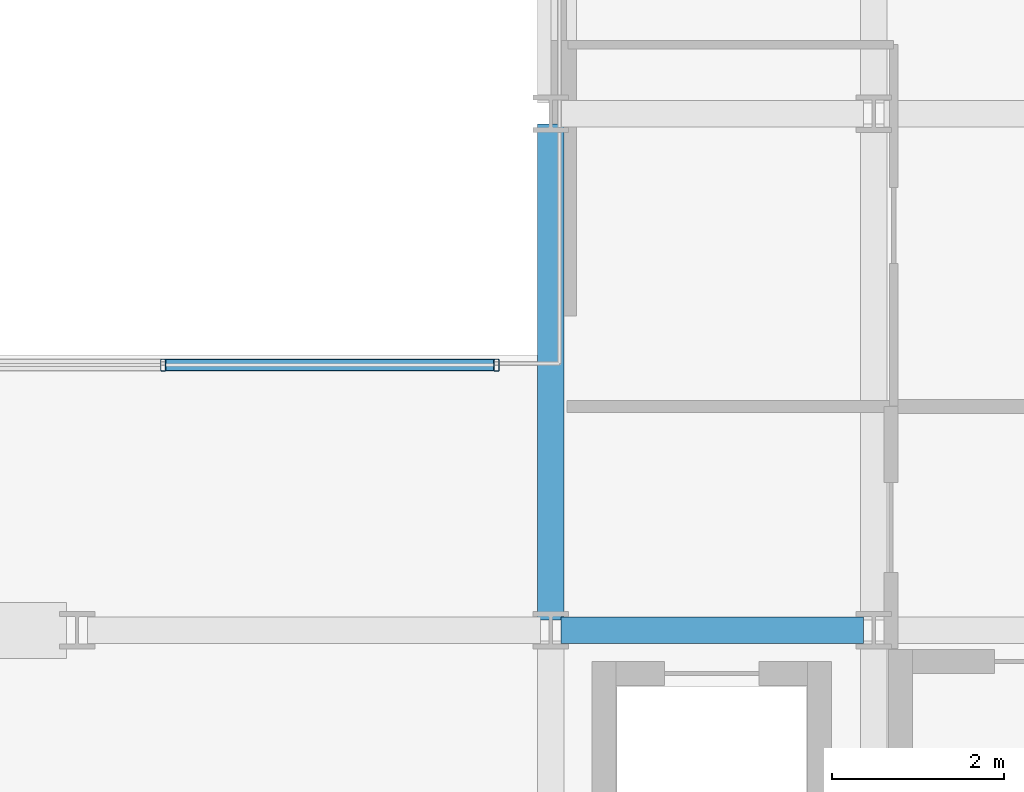
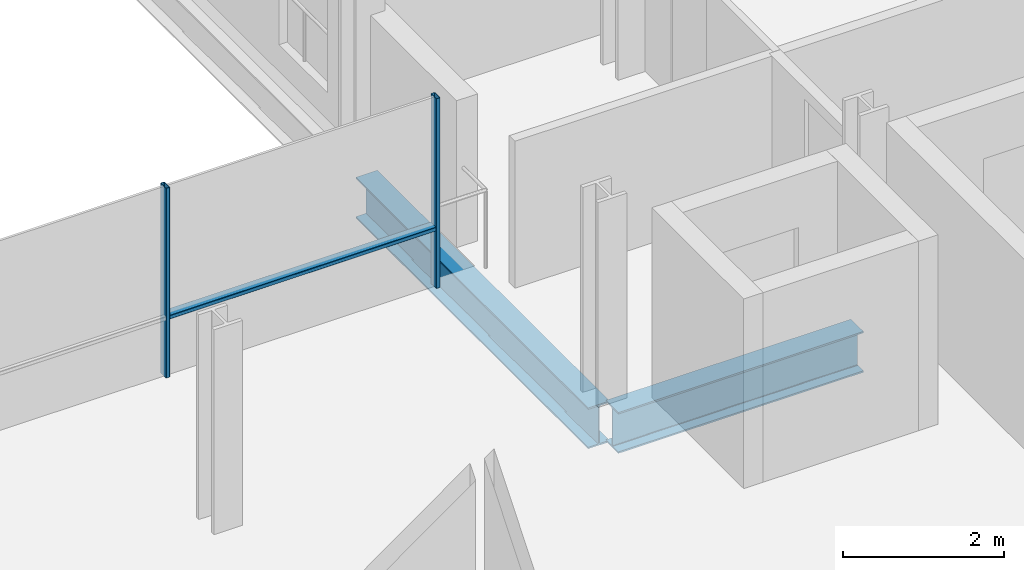
# One storey, part 13 of 40: 3 members, 2 beams, 1 element without a shape of its own.
"""IFC4 building model written with IfcOpenShell, lengths in metres."""

import ifcopenshell
import ifcopenshell.guid

model = None  # the IFC model being written
_history = None  # IfcOwnerHistory: only IFC2X3 demands one
_inside = {}  # id of a spatial element -> (the spatial element, [elements in it])
_under = {}  # id of a project, library or spatial element -> (it, [spatial elements below it])
_declared = {}  # id of a project -> (the project, [libraries it declares])
_typed = {}  # id of a type object -> (the type object, [elements of that type])
_made_of = {}  # id of a material, layer set ... -> (it, [elements and type objects made of it])


def new_model(schema):
    """Start an empty IFC model of exactly this schema.

    Asked for "IFC4X3", IfcOpenShell would pick the latest addendum, in which some entities
    have other attributes; the version numbers below select the first issue.
    IFC2X3 requires an IfcOwnerHistory on every rooted entity: one is made here for all.
    """
    global model, _history
    if schema == "IFC4X3":
        model = ifcopenshell.file(schema_version=(4, 3, 0, 0))
    else:
        model = ifcopenshell.file(schema=schema)
    _inside.clear()
    _under.clear()
    _declared.clear()
    _typed.clear()
    _made_of.clear()
    _history = None
    if model.schema == "IFC2X3":
        org = make("IfcOrganization", Name="unknown")
        user = make(
            "IfcPersonAndOrganization",
            ThePerson=make("IfcPerson", FamilyName="unknown"),
            TheOrganization=org,
        )
        app = make(
            "IfcApplication",
            ApplicationDeveloper=org,
            Version="unknown",
            ApplicationFullName="unknown",
            ApplicationIdentifier="unknown",
        )
        _history = make(
            "IfcOwnerHistory",
            OwningUser=user,
            OwningApplication=app,
            ChangeAction="ADDED",
            CreationDate=0,
        )
    return model


def make(cls, **values):
    """One entity of the class cls with the attributes given. An attribute that is None is left unset."""
    return model.create_entity(
        cls, **{name: value for name, value in values.items() if value is not None}
    )


def rooted(cls, **values):
    """An entity with a GlobalId (a new one), such as an element, a storey or a relation."""
    return make(cls, GlobalId=ifcopenshell.guid.new(), OwnerHistory=_history, **values)


def si_unit(unit_type, name, prefix=None):
    """IfcSIUnit, for example si_unit("LENGTHUNIT", "METRE", prefix="MILLI")."""
    return make("IfcSIUnit", UnitType=unit_type, Prefix=prefix, Name=name)


def assignment(units):
    """IfcUnitAssignment: the units of a project."""
    return None if units is None else make("IfcUnitAssignment", Units=units)


def point(xyz):
    """IfcCartesianPoint."""
    return None if xyz is None else make("IfcCartesianPoint", Coordinates=xyz)


def direction(xyz):
    """IfcDirection."""
    return None if xyz is None else make("IfcDirection", DirectionRatios=xyz)


def frame(location, z_axis=None, x_axis=None):
    """IfcAxis2Placement3D, a coordinate frame: its origin and axes. An axis left out is left unset."""
    return make(
        "IfcAxis2Placement3D",
        Location=point(location),
        Axis=direction(z_axis),
        RefDirection=direction(x_axis),
    )


def frame_2d(location, x_axis=None):
    """IfcAxis2Placement2D, a coordinate frame in the plane: its origin and x axis."""
    return make(
        "IfcAxis2Placement2D", Location=point(location), RefDirection=direction(x_axis)
    )


def origin():
    """The frame at (0, 0, 0) with its axes left unset."""
    return frame((0.0, 0.0, 0.0))


def origin_2d():
    """The frame at (0, 0) in the plane with its x axis left unset."""
    return frame_2d((0.0, 0.0))


def place(relative_to, where):
    """IfcLocalPlacement: puts the frame where relative to a parent placement (None: the world)."""
    return make(
        "IfcLocalPlacement", PlacementRelTo=relative_to, RelativePlacement=where
    )


def context(
    kind, dimensions, precision=None, world=None, true_north=None, identifier=None
):
    """IfcGeometricRepresentationContext, for example the 3D "Model" context."""
    return make(
        "IfcGeometricRepresentationContext",
        ContextIdentifier=identifier,
        ContextType=kind,
        CoordinateSpaceDimension=dimensions,
        Precision=precision,
        WorldCoordinateSystem=world,
        TrueNorth=true_north,
    )


def subcontext(parent, identifier, kind, view, scale=None):
    """IfcGeometricRepresentationSubContext, for example "Body" below "Model"."""
    return make(
        "IfcGeometricRepresentationSubContext",
        ContextIdentifier=identifier,
        ContextType=kind,
        ParentContext=parent,
        TargetScale=scale,
        TargetView=view,
    )


def project(units=None, contexts=None):
    """IfcProject with its units and contexts."""
    return rooted(
        "IfcProject",
        Name="project",
        RepresentationContexts=contexts,
        UnitsInContext=assignment(units),
    )


def spatial(cls, under=None, at=None, **own):
    """A site, building, storey or space (cls), placed at a placement, below another one or the project."""
    s = rooted(cls, ObjectPlacement=at, **own)
    if under is not None:
        _under.setdefault(under.id(), (under, []))[1].append(s)
    return s


def profile(cls, at=None, kind="AREA", **sizes):
    """A parametric profile (cls). Its sizes go by their IFC names, for example OverallWidth=200.0."""
    return make(cls, ProfileType=kind, Position=at, **sizes)


def hollow_rectangle(**sizes):
    """IfcRectangleHollowProfileDef."""
    return profile("IfcRectangleHollowProfileDef", **sizes)


def i_section(**sizes):
    """IfcIShapeProfileDef."""
    return profile("IfcIShapeProfileDef", **sizes)


def extrude(swept, where, along, depth):
    """IfcExtrudedAreaSolid: the profile swept, set in the frame where, extruded along a direction by depth."""
    return make(
        "IfcExtrudedAreaSolid",
        SweptArea=swept,
        Position=where,
        ExtrudedDirection=direction(along),
        Depth=depth,
    )


def shape(context_of_items, identifier, shape_type, items):
    """IfcShapeRepresentation: the items that make up one representation, for example the "Body"."""
    return make(
        "IfcShapeRepresentation",
        ContextOfItems=context_of_items,
        RepresentationIdentifier=identifier,
        RepresentationType=shape_type,
        Items=items,
    )


def material(Name=None, Category=None):
    """IfcMaterial."""
    return make("IfcMaterial", Name=Name, Category=Category)


def layer(
    of_material, thickness, ventilated=None, Name=None, Category=None, Priority=None
):
    """IfcMaterialLayer: one layer of a wall or slab, of a material (None: an air gap)."""
    return make(
        "IfcMaterialLayer",
        Material=of_material,
        LayerThickness=thickness,
        IsVentilated=ventilated,
        Name=Name,
        Category=Category,
        Priority=Priority,
    )


def layer_set(layers, Name=None):
    """IfcMaterialLayerSet."""
    return make("IfcMaterialLayerSet", MaterialLayers=layers, LayerSetName=Name)


def material_profile(
    of_material, cross_section, Name=None, Category=None, Priority=None
):
    """IfcMaterialProfile: a cross section and its material."""
    return make(
        "IfcMaterialProfile",
        Name=Name,
        Material=of_material,
        Profile=cross_section,
        Priority=Priority,
        Category=Category,
    )


def profile_set(profiles, Name=None, composite=None):
    """IfcMaterialProfileSet."""
    return make(
        "IfcMaterialProfileSet",
        Name=Name,
        MaterialProfiles=profiles,
        CompositeProfile=composite,
    )


def made_of(thing, what):
    """Note that an element or type object is made of a material, layer set ...; save() writes the relation."""
    if what is not None:
        _made_of.setdefault(what.id(), (what, []))[1].append(thing)
    return thing


def type_object(cls, material=None, **own):
    """A type object (cls), such as IfcWallType, which elements share."""
    return made_of(rooted(cls, **own), material)


def element(
    cls,
    number,
    at=None,
    inside=None,
    cuts=None,
    type_object=None,
    material=None,
    context=None,
    identifier="Body",
    shape_type=None,
    held_by="IfcProductDefinitionShape",
    body=None,
    shapes=None,
    **own,
):
    """One element of the class cls, such as IfcWall. Its Tag is "e" and its number.

    at: its placement. inside: the storey or other place that contains it. cuts: it is an
    opening in that element (IfcRelVoidsElement). A single representation is given by context,
    identifier, shape_type and body (its items); several are given by shapes. held_by: the class
    of the entity that holds the representations. save() writes the other relations.
    """
    e = rooted(cls, Tag="e%d" % number, ObjectPlacement=at, **own)
    if body is not None:
        shapes = [shape(context, identifier, shape_type, body)]
    if shapes is not None:
        e.Representation = make(held_by, Representations=shapes)
    if inside is not None:
        _inside.setdefault(inside.id(), (inside, []))[1].append(e)
    if cuts is not None:
        rooted(
            "IfcRelVoidsElement", RelatingBuildingElement=cuts, RelatedOpeningElement=e
        )
    if type_object is not None:
        _typed.setdefault(type_object.id(), (type_object, []))[1].append(e)
    return made_of(e, material)


def aggregate(whole, parts):
    """IfcRelAggregates: a whole, such as a stair, and the parts it consists of."""
    return rooted("IfcRelAggregates", RelatingObject=whole, RelatedObjects=parts)


def save(model, path):
    """Write the relations noted so far, then the file.

    IfcRelAggregates (storeys below a building ...), IfcRelContainedInSpatialStructure (elements
    in a storey), IfcRelDefinesByType, IfcRelAssociatesMaterial and IfcRelDeclares: one each for
    every whole, place, type object, material and project.
    """
    for whole, parts in _under.values():
        aggregate(whole, parts)
    for where, things in _inside.values():
        rooted(
            "IfcRelContainedInSpatialStructure",
            RelatedElements=things,
            RelatingStructure=where,
        )
    for kind, things in _typed.values():
        rooted("IfcRelDefinesByType", RelatedObjects=things, RelatingType=kind)
    for what, things in _made_of.values():
        rooted("IfcRelAssociatesMaterial", RelatedObjects=things, RelatingMaterial=what)
    for by, libraries in _declared.values():
        rooted("IfcRelDeclares", RelatingContext=by, RelatedDefinitions=libraries)
    model.write(path)


model = new_model("IFC4")

# Units and contexts
model_context = context("Model", 3, precision=1e-05, world=origin(), true_north=direction((0.0, 1.0)))
body_context = subcontext(model_context, "Body", "Model", "MODEL_VIEW")
ifc_project = project(units=[si_unit("LENGTHUNIT", "METRE"), si_unit("AREAUNIT", "SQUARE_METRE"), si_unit("VOLUMEUNIT", "CUBIC_METRE"), si_unit("PLANEANGLEUNIT", "RADIAN"), si_unit("MASSUNIT", "GRAM", prefix="KILO")], contexts=[model_context])

# Site, building, storey
site_placement = place(None, origin())
site = spatial("IfcSite", under=ifc_project, at=site_placement, CompositionType="ELEMENT")
building_placement = place(site_placement, origin())
building = spatial("IfcBuilding", under=site, at=building_placement, Name="Brevholm Reach", CompositionType="ELEMENT")
storey_placement = place(building_placement, frame((0.0, 0.0, 80.699951171875)))
storey = spatial("IfcBuildingStorey", under=building, at=storey_placement, Name="L23", CompositionType="ELEMENT", Elevation=80.699951171875)

# Beams
ifc_material_1 = material(Name="Structural Steel S355J2", Category="steel")
ifc_material_profile_1 = material_profile(ifc_material_1, i_section(OverallWidth=0.30712890625, OverallDepth=0.6201171875, WebThickness=0.01416015625, FlangeThickness=0.023681640625, FilletRadius=0.0166015625, at=origin_2d()), Name="UKB 610x305x179")
ifc_profile_set_1 = profile_set([ifc_material_profile_1], Name="Structural Steel S355J2")
beam_type = type_object("IfcBeamType", Name="BM-UKB610H", PredefinedType="USERDEFINED", material=ifc_profile_set_1)
beam_1_placement = place(storey_placement, frame((38.3701171875, 10.0, -0.5400390625), z_axis=(1.0, 0.0, 0.0), x_axis=(0.0, 1.0, 0.0)))
element("IfcBeam", 1, at=beam_1_placement, inside=storey, type_object=beam_type, Name="L23 G-06 Framing Beam", ObjectType="GIRDER", PredefinedType="USERDEFINED", context=body_context, shape_type="SweptSolid", body=[
    extrude(i_section(OverallWidth=0.30712890625, OverallDepth=0.6201171875, WebThickness=0.01416015625, FlangeThickness=0.023681640625, FilletRadius=0.0166015625, at=origin_2d()), origin(), (0.0, 0.0, 1.0), 3.509765625),
])
beam_2_placement = place(storey_placement, frame((38.25, 10.1201171875, -0.5400390625), z_axis=(0.0, 1.0, 0.0), x_axis=(-1.0, 0.0, 0.0)))
element("IfcBeam", 2, at=beam_2_placement, inside=storey, type_object=beam_type, Name="L23 G-06 Framing Beam", ObjectType="GIRDER", PredefinedType="USERDEFINED", context=body_context, shape_type="SweptSolid", body=[
    extrude(i_section(OverallWidth=0.30712890625, OverallDepth=0.6201171875, WebThickness=0.01416015625, FlangeThickness=0.023681640625, FilletRadius=0.0166015625, at=origin_2d()), origin(), (0.0, 0.0, 1.0), 5.759765625),
])

# Curtain wall, members
ifc_material_2 = material(Name="Dark Anodised Aluminium 6063-T6 and Solar-Control Glass", Category="aluminium")
ifc_layer = layer(ifc_material_2, 0.139892578125)
ifc_layer_set = layer_set([ifc_layer], Name="Dark Anodised Aluminium 6063-T6 and Solar-Control Glass")
curtain_wall_type = type_object("IfcCurtainWallType", Name="CW-02", PredefinedType="NOTDEFINED", material=ifc_layer_set)
curtain_wall_placement = place(storey_placement, origin())
curtain_wall = element("IfcCurtainWall", 3, at=curtain_wall_placement, inside=storey, type_object=curtain_wall_type, Name="L23 Curtain Wall CW-02", PredefinedType="NOTDEFINED")
ifc_material_3 = material(Name="Dark Anodised Aluminium 6063-T6", Category="aluminium")
ifc_material_profile_2 = material_profile(ifc_material_3, hollow_rectangle(XDim=0.06005859375, YDim=0.139892578125, WallThickness=0.0048828125, InnerFilletRadius=0.0048828125, OuterFilletRadius=0.010009765625, at=origin_2d()), Name="RHS 140x60x5")
ifc_profile_set_2 = profile_set([ifc_material_profile_2], Name="Dark Anodised Aluminium 6063-T6")
member_type_1 = type_object("IfcMemberType", Name="CWM-140", PredefinedType="MULLION", material=ifc_profile_set_2)
member_1_placement = place(storey_placement, frame((33.75, 13.080078125, 0.0), z_axis=(0.0, 0.0, 1.0), x_axis=(1.0, 0.0, 0.0)))
member_1 = element("IfcMember", 4, at=member_1_placement, type_object=member_type_1, Name="CM-140 Mullion 4", PredefinedType="MULLION", context=body_context, shape_type="SweptSolid", body=[
    extrude(hollow_rectangle(XDim=0.06005859375, YDim=0.139892578125, WallThickness=0.0048828125, InnerFilletRadius=0.0048828125, OuterFilletRadius=0.010009765625, at=origin_2d()), origin(), (0.0, 0.0, 1.0), 2.8701171875),
])
member_2_placement = place(storey_placement, frame((37.6201171875, 13.080078125, 0.0), z_axis=(0.0, 0.0, 1.0), x_axis=(1.0, 0.0, 0.0)))
member_2 = element("IfcMember", 5, at=member_2_placement, type_object=member_type_1, Name="CM-140 Mullion 5", PredefinedType="MULLION", context=body_context, shape_type="SweptSolid", body=[
    extrude(hollow_rectangle(XDim=0.06005859375, YDim=0.139892578125, WallThickness=0.0048828125, InnerFilletRadius=0.0048828125, OuterFilletRadius=0.010009765625, at=origin_2d()), origin(), (0.0, 0.0, 1.0), 2.8701171875),
])
ifc_material_4 = material(Name="Dark Anodised Aluminium 6063-T6", Category="aluminium")
ifc_material_profile_3 = material_profile(ifc_material_4, hollow_rectangle(XDim=0.06005859375, YDim=0.139892578125, WallThickness=0.0048828125, InnerFilletRadius=0.0048828125, OuterFilletRadius=0.010009765625, at=origin_2d()), Name="RHS 140x60x5")
ifc_profile_set_3 = profile_set([ifc_material_profile_3], Name="Dark Anodised Aluminium 6063-T6")
member_type_2 = type_object("IfcMemberType", Name="CWT-140", PredefinedType="NOTDEFINED", material=ifc_profile_set_3)
member_3_placement = place(storey_placement, frame((33.780029296875, 13.080078125, 0.900146484375), z_axis=(1.0, 0.0, 0.0), x_axis=(0.0, 0.0, 1.0)))
member_3 = element("IfcMember", 6, at=member_3_placement, type_object=member_type_2, Name="CT-140 Transom 4.1", ObjectType="TRANSOM", PredefinedType="USERDEFINED", context=body_context, shape_type="SweptSolid", body=[
    extrude(hollow_rectangle(XDim=0.06005859375, YDim=0.139892578125, WallThickness=0.0048828125, InnerFilletRadius=0.0048828125, OuterFilletRadius=0.010009765625, at=origin_2d()), origin(), (0.0, 0.0, 1.0), 3.81005859375),
])
aggregate(curtain_wall, [member_1, member_2, member_3])

save(model, "model.ifc")
